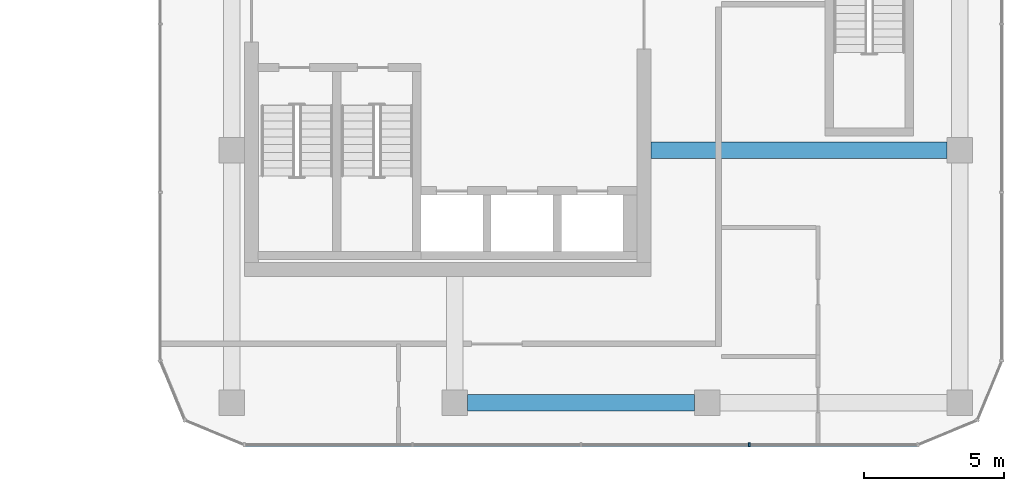
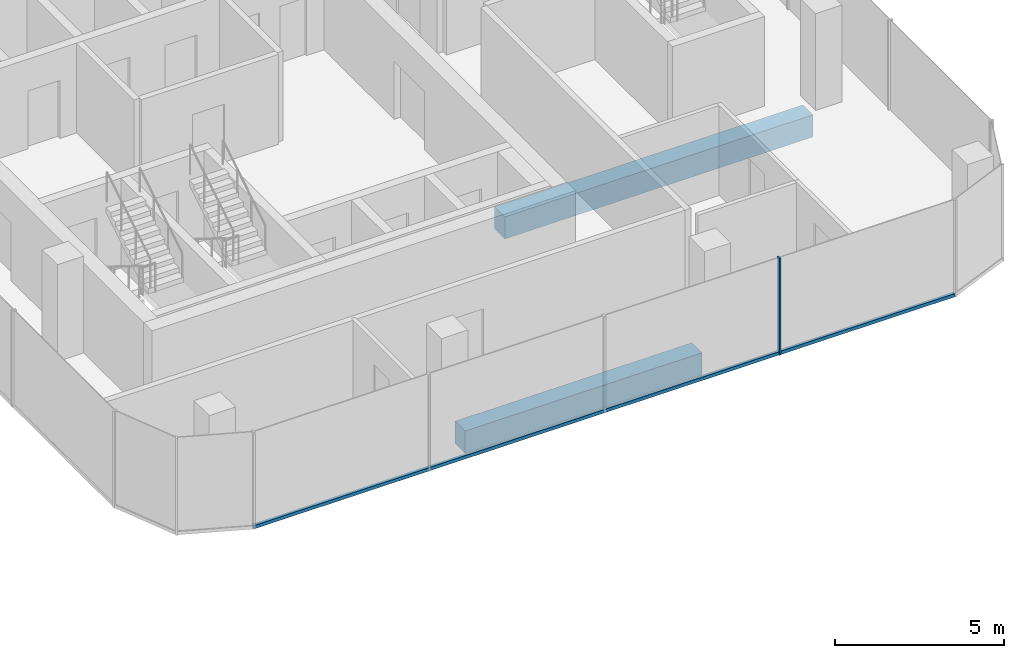
# One storey, part 9 of 24: 2 beams, 2 members, 1 element without a shape of its own.
"""IFC4 building model written with IfcOpenShell, lengths in metres."""

from ifc_helpers import new_model, si_unit, direction, frame, origin, origin_2d, place, context, subcontext, project, spatial, rectangle, extrude, material, layer, layer_set, material_profile, profile_set, type_object, element, aggregate, save


model = new_model("IFC4")

# Units and contexts
model_context = context("Model", 3, precision=1e-05, world=origin(), true_north=direction((0.0, 1.0)))
body_context = subcontext(model_context, "Body", "Model", "MODEL_VIEW")
ifc_project = project(units=[si_unit("LENGTHUNIT", "METRE"), si_unit("AREAUNIT", "SQUARE_METRE"), si_unit("VOLUMEUNIT", "CUBIC_METRE"), si_unit("PLANEANGLEUNIT", "RADIAN"), si_unit("MASSUNIT", "GRAM", prefix="KILO")], contexts=[model_context])

# Site, building, storey
site_placement = place(None, origin())
site = spatial("IfcSite", under=ifc_project, at=site_placement, CompositionType="ELEMENT")
building_placement = place(site_placement, origin())
building = spatial("IfcBuilding", under=site, at=building_placement, Name="Plateau Cross Towers", CompositionType="ELEMENT")
storey_placement = place(building_placement, frame((0.0, 0.0, 44.300048828125)))
storey = spatial("IfcBuildingStorey", under=building, at=storey_placement, Name="L10", CompositionType="ELEMENT", Elevation=44.300048828125)

# Beam
ifc_material_1 = material(Name="Concrete C60/75", Category="concrete")
ifc_material_profile_1 = material_profile(ifc_material_1, rectangle(XDim=0.60009765625, YDim=0.800048828125, at=origin_2d()), Name="RC 600x800")
ifc_profile_set_1 = profile_set([ifc_material_profile_1], Name="Concrete C60/75")
beam_type_1 = type_object("IfcBeamType", Name="Core beam RC 600x800", PredefinedType="BEAM", material=ifc_profile_set_1)
beam_1_placement = place(storey_placement, frame((89.5, 4.5, -0.650146484375), z_axis=(1.0, 0.0, 0.0), x_axis=(0.0, 1.0, 0.0)))
element("IfcBeam", 1, at=beam_1_placement, inside=storey, type_object=beam_type_1, Name="B-CB02@L10", PredefinedType="BEAM", context=body_context, shape_type="SweptSolid", body=[
    extrude(rectangle(XDim=0.60009765625, YDim=0.800048828125, at=origin_2d()), origin(), (0.0, 0.0, 1.0), 10.550048828125),
])

# Curtain wall, member
ifc_material_2 = material(Name="Dark low-iron glass", Category="glass")
ifc_layer = layer(ifc_material_2, 0.239990234375)
ifc_layer_set = layer_set([ifc_layer], Name="Dark low-iron glass")
curtain_wall_type = type_object("IfcCurtainWallType", Name="Curtain wall office unitised CW-F", PredefinedType="NOTDEFINED", material=ifc_layer_set)
curtain_wall_placement = place(storey_placement, origin())
curtain_wall = element("IfcCurtainWall", 2, at=curtain_wall_placement, inside=storey, type_object=curtain_wall_type, Name="ENV/B/L10/B750_-60", PredefinedType="NOTDEFINED")
ifc_material_3 = material(Name="Black anodised aluminium", Category="aluminium")
ifc_material_profile_2 = material_profile(ifc_material_3, rectangle(XDim=0.06005859375, YDim=0.139892578125, at=origin_2d()), Name="MULLION 60x140")
ifc_profile_set_2 = profile_set([ifc_material_profile_2], Name="Black anodised aluminium")
member_type_1 = type_object("IfcMemberType", Name="Mullion 60x140 office unitised", PredefinedType="MULLION", material=ifc_profile_set_2)
member_1_placement = place(storey_placement, frame((93.0, -6.0, -0.25), z_axis=(0.0, 0.0, 1.0), x_axis=(1.0, 0.0, 0.0)))
member_1 = element("IfcMember", 3, at=member_1_placement, type_object=member_type_1, Name="CW-F mullion 4", PredefinedType="MULLION", context=body_context, shape_type="SweptSolid", body=[
    extrude(rectangle(XDim=0.06005859375, YDim=0.139892578125, at=origin_2d()), origin(), (0.0, 0.0, 1.0), 3.5),
])

# Beam
ifc_material_profile_3 = material_profile(ifc_material_1, rectangle(XDim=0.60009765625, YDim=0.800048828125, at=origin_2d()), Name="RC 600x800")
ifc_profile_set_3 = profile_set([ifc_material_profile_3], Name="Concrete C60/75")
beam_type_2 = type_object("IfcBeamType", Name="Ring beam RC 600x800", PredefinedType="BEAM", material=ifc_profile_set_3)
beam_2_placement = place(storey_placement, frame((82.949951171875, -4.5, -0.650146484375), z_axis=(1.0, 0.0, 0.0), x_axis=(0.0, 1.0, 0.0)))
element("IfcBeam", 4, at=beam_2_placement, inside=storey, type_object=beam_type_2, Name="B-RB01@L10", PredefinedType="BEAM", context=body_context, shape_type="SweptSolid", body=[
    extrude(rectangle(XDim=0.60009765625, YDim=0.800048828125, at=origin_2d()), origin(), (0.0, 0.0, 1.0), 8.10009765625),
])

# Member
ifc_material_profile_4 = material_profile(ifc_material_3, rectangle(XDim=0.10009765625, YDim=0.1201171875, at=origin_2d()), Name="TRANSOM 100x120")
ifc_profile_set_4 = profile_set([ifc_material_profile_4], Name="Black anodised aluminium")
member_type_2 = type_object("IfcMemberType", Name="Transom 100x120 office unitised", PredefinedType="USERDEFINED", material=ifc_profile_set_4)
member_2_placement = place(storey_placement, frame((75.0, -6.0, -0.18994140625), z_axis=(1.0, 0.0, 0.0), x_axis=(0.0, 1.0, 0.0)))
member_2 = element("IfcMember", 5, at=member_2_placement, type_object=member_type_2, Name="CW-F transom", ObjectType="TRANSOM", PredefinedType="USERDEFINED", context=body_context, shape_type="SweptSolid", body=[
    extrude(rectangle(XDim=0.10009765625, YDim=0.1201171875, at=origin_2d()), origin(), (0.0, 0.0, 1.0), 24.0),
])

aggregate(curtain_wall, [member_1, member_2])

save(model, "model.ifc")
